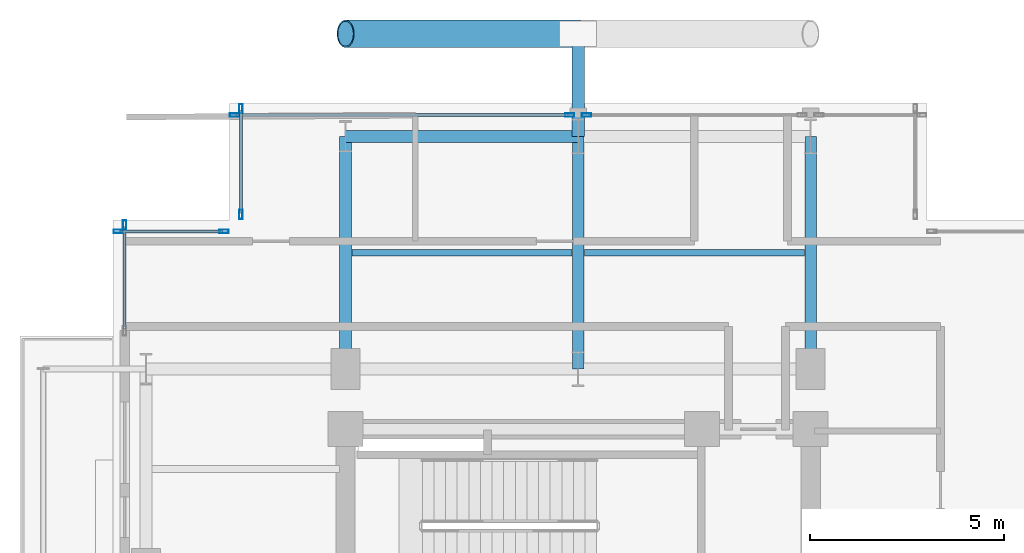
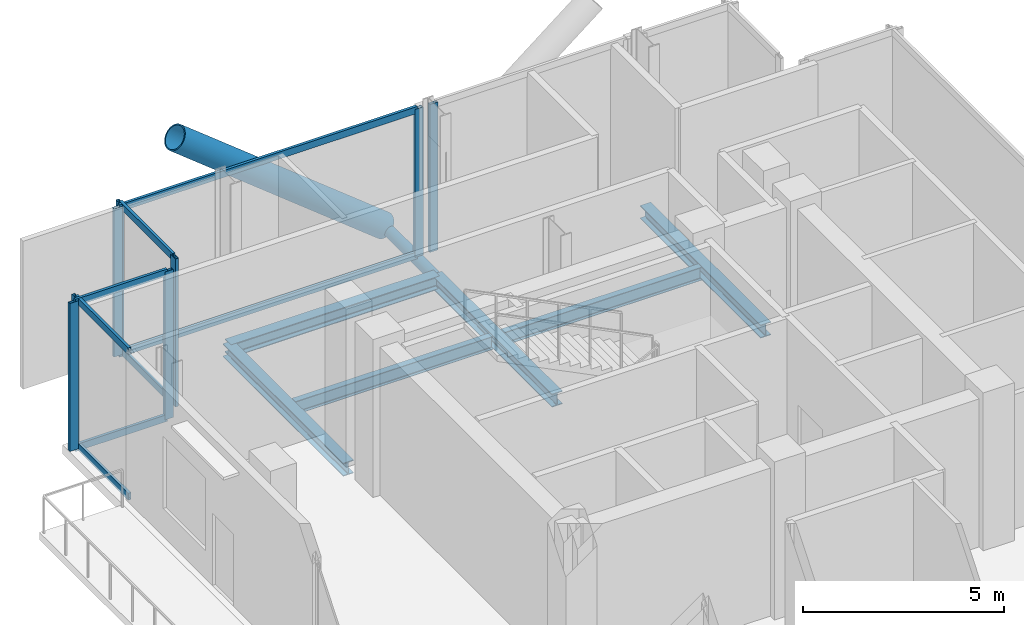
# One storey, part 11 of 22: 18 members, 6 beams, 5 elements without a shape of their own.
"""IFC4 building model written with IfcOpenShell, lengths in metres."""

import ifcopenshell
import ifcopenshell.guid

model = None  # the IFC model being written
_history = None  # IfcOwnerHistory: only IFC2X3 demands one
_inside = {}  # id of a spatial element -> (the spatial element, [elements in it])
_under = {}  # id of a project, library or spatial element -> (it, [spatial elements below it])
_declared = {}  # id of a project -> (the project, [libraries it declares])
_typed = {}  # id of a type object -> (the type object, [elements of that type])
_made_of = {}  # id of a material, layer set ... -> (it, [elements and type objects made of it])


def new_model(schema):
    """Start an empty IFC model of exactly this schema.

    Asked for "IFC4X3", IfcOpenShell would pick the latest addendum, in which some entities
    have other attributes; the version numbers below select the first issue.
    IFC2X3 requires an IfcOwnerHistory on every rooted entity: one is made here for all.
    """
    global model, _history
    if schema == "IFC4X3":
        model = ifcopenshell.file(schema_version=(4, 3, 0, 0))
    else:
        model = ifcopenshell.file(schema=schema)
    _inside.clear()
    _under.clear()
    _declared.clear()
    _typed.clear()
    _made_of.clear()
    _history = None
    if model.schema == "IFC2X3":
        org = make("IfcOrganization", Name="unknown")
        user = make(
            "IfcPersonAndOrganization",
            ThePerson=make("IfcPerson", FamilyName="unknown"),
            TheOrganization=org,
        )
        app = make(
            "IfcApplication",
            ApplicationDeveloper=org,
            Version="unknown",
            ApplicationFullName="unknown",
            ApplicationIdentifier="unknown",
        )
        _history = make(
            "IfcOwnerHistory",
            OwningUser=user,
            OwningApplication=app,
            ChangeAction="ADDED",
            CreationDate=0,
        )
    return model


def make(cls, **values):
    """One entity of the class cls with the attributes given. An attribute that is None is left unset."""
    return model.create_entity(
        cls, **{name: value for name, value in values.items() if value is not None}
    )


def rooted(cls, **values):
    """An entity with a GlobalId (a new one), such as an element, a storey or a relation."""
    return make(cls, GlobalId=ifcopenshell.guid.new(), OwnerHistory=_history, **values)


def si_unit(unit_type, name, prefix=None):
    """IfcSIUnit, for example si_unit("LENGTHUNIT", "METRE", prefix="MILLI")."""
    return make("IfcSIUnit", UnitType=unit_type, Prefix=prefix, Name=name)


def assignment(units):
    """IfcUnitAssignment: the units of a project."""
    return None if units is None else make("IfcUnitAssignment", Units=units)


def point(xyz):
    """IfcCartesianPoint."""
    return None if xyz is None else make("IfcCartesianPoint", Coordinates=xyz)


def direction(xyz):
    """IfcDirection."""
    return None if xyz is None else make("IfcDirection", DirectionRatios=xyz)


def frame(location, z_axis=None, x_axis=None):
    """IfcAxis2Placement3D, a coordinate frame: its origin and axes. An axis left out is left unset."""
    return make(
        "IfcAxis2Placement3D",
        Location=point(location),
        Axis=direction(z_axis),
        RefDirection=direction(x_axis),
    )


def frame_2d(location, x_axis=None):
    """IfcAxis2Placement2D, a coordinate frame in the plane: its origin and x axis."""
    return make(
        "IfcAxis2Placement2D", Location=point(location), RefDirection=direction(x_axis)
    )


def origin():
    """The frame at (0, 0, 0) with its axes left unset."""
    return frame((0.0, 0.0, 0.0))


def origin_2d():
    """The frame at (0, 0) in the plane with its x axis left unset."""
    return frame_2d((0.0, 0.0))


def place(relative_to, where):
    """IfcLocalPlacement: puts the frame where relative to a parent placement (None: the world)."""
    return make(
        "IfcLocalPlacement", PlacementRelTo=relative_to, RelativePlacement=where
    )


def context(
    kind, dimensions, precision=None, world=None, true_north=None, identifier=None
):
    """IfcGeometricRepresentationContext, for example the 3D "Model" context."""
    return make(
        "IfcGeometricRepresentationContext",
        ContextIdentifier=identifier,
        ContextType=kind,
        CoordinateSpaceDimension=dimensions,
        Precision=precision,
        WorldCoordinateSystem=world,
        TrueNorth=true_north,
    )


def subcontext(parent, identifier, kind, view, scale=None):
    """IfcGeometricRepresentationSubContext, for example "Body" below "Model"."""
    return make(
        "IfcGeometricRepresentationSubContext",
        ContextIdentifier=identifier,
        ContextType=kind,
        ParentContext=parent,
        TargetScale=scale,
        TargetView=view,
    )


def project(units=None, contexts=None):
    """IfcProject with its units and contexts."""
    return rooted(
        "IfcProject",
        Name="project",
        RepresentationContexts=contexts,
        UnitsInContext=assignment(units),
    )


def spatial(cls, under=None, at=None, **own):
    """A site, building, storey or space (cls), placed at a placement, below another one or the project."""
    s = rooted(cls, ObjectPlacement=at, **own)
    if under is not None:
        _under.setdefault(under.id(), (under, []))[1].append(s)
    return s


def profile(cls, at=None, kind="AREA", **sizes):
    """A parametric profile (cls). Its sizes go by their IFC names, for example OverallWidth=200.0."""
    return make(cls, ProfileType=kind, Position=at, **sizes)


def hollow_rectangle(**sizes):
    """IfcRectangleHollowProfileDef."""
    return profile("IfcRectangleHollowProfileDef", **sizes)


def hollow_circle(**sizes):
    """IfcCircleHollowProfileDef."""
    return profile("IfcCircleHollowProfileDef", **sizes)


def i_section(**sizes):
    """IfcIShapeProfileDef."""
    return profile("IfcIShapeProfileDef", **sizes)


def extrude(swept, where, along, depth):
    """IfcExtrudedAreaSolid: the profile swept, set in the frame where, extruded along a direction by depth."""
    return make(
        "IfcExtrudedAreaSolid",
        SweptArea=swept,
        Position=where,
        ExtrudedDirection=direction(along),
        Depth=depth,
    )


def shape(context_of_items, identifier, shape_type, items):
    """IfcShapeRepresentation: the items that make up one representation, for example the "Body"."""
    return make(
        "IfcShapeRepresentation",
        ContextOfItems=context_of_items,
        RepresentationIdentifier=identifier,
        RepresentationType=shape_type,
        Items=items,
    )


def material(Name=None, Category=None):
    """IfcMaterial."""
    return make("IfcMaterial", Name=Name, Category=Category)


def layer(
    of_material, thickness, ventilated=None, Name=None, Category=None, Priority=None
):
    """IfcMaterialLayer: one layer of a wall or slab, of a material (None: an air gap)."""
    return make(
        "IfcMaterialLayer",
        Material=of_material,
        LayerThickness=thickness,
        IsVentilated=ventilated,
        Name=Name,
        Category=Category,
        Priority=Priority,
    )


def layer_set(layers, Name=None):
    """IfcMaterialLayerSet."""
    return make("IfcMaterialLayerSet", MaterialLayers=layers, LayerSetName=Name)


def material_profile(
    of_material, cross_section, Name=None, Category=None, Priority=None
):
    """IfcMaterialProfile: a cross section and its material."""
    return make(
        "IfcMaterialProfile",
        Name=Name,
        Material=of_material,
        Profile=cross_section,
        Priority=Priority,
        Category=Category,
    )


def profile_set(profiles, Name=None, composite=None):
    """IfcMaterialProfileSet."""
    return make(
        "IfcMaterialProfileSet",
        Name=Name,
        MaterialProfiles=profiles,
        CompositeProfile=composite,
    )


def made_of(thing, what):
    """Note that an element or type object is made of a material, layer set ...; save() writes the relation."""
    if what is not None:
        _made_of.setdefault(what.id(), (what, []))[1].append(thing)
    return thing


def type_object(cls, material=None, **own):
    """A type object (cls), such as IfcWallType, which elements share."""
    return made_of(rooted(cls, **own), material)


def element(
    cls,
    number,
    at=None,
    inside=None,
    cuts=None,
    type_object=None,
    material=None,
    context=None,
    identifier="Body",
    shape_type=None,
    held_by="IfcProductDefinitionShape",
    body=None,
    shapes=None,
    **own,
):
    """One element of the class cls, such as IfcWall. Its Tag is "e" and its number.

    at: its placement. inside: the storey or other place that contains it. cuts: it is an
    opening in that element (IfcRelVoidsElement). A single representation is given by context,
    identifier, shape_type and body (its items); several are given by shapes. held_by: the class
    of the entity that holds the representations. save() writes the other relations.
    """
    e = rooted(cls, Tag="e%d" % number, ObjectPlacement=at, **own)
    if body is not None:
        shapes = [shape(context, identifier, shape_type, body)]
    if shapes is not None:
        e.Representation = make(held_by, Representations=shapes)
    if inside is not None:
        _inside.setdefault(inside.id(), (inside, []))[1].append(e)
    if cuts is not None:
        rooted(
            "IfcRelVoidsElement", RelatingBuildingElement=cuts, RelatedOpeningElement=e
        )
    if type_object is not None:
        _typed.setdefault(type_object.id(), (type_object, []))[1].append(e)
    return made_of(e, material)


def aggregate(whole, parts):
    """IfcRelAggregates: a whole, such as a stair, and the parts it consists of."""
    return rooted("IfcRelAggregates", RelatingObject=whole, RelatedObjects=parts)


def save(model, path):
    """Write the relations noted so far, then the file.

    IfcRelAggregates (storeys below a building ...), IfcRelContainedInSpatialStructure (elements
    in a storey), IfcRelDefinesByType, IfcRelAssociatesMaterial and IfcRelDeclares: one each for
    every whole, place, type object, material and project.
    """
    for whole, parts in _under.values():
        aggregate(whole, parts)
    for where, things in _inside.values():
        rooted(
            "IfcRelContainedInSpatialStructure",
            RelatedElements=things,
            RelatingStructure=where,
        )
    for kind, things in _typed.values():
        rooted("IfcRelDefinesByType", RelatedObjects=things, RelatingType=kind)
    for what, things in _made_of.values():
        rooted("IfcRelAssociatesMaterial", RelatedObjects=things, RelatingMaterial=what)
    for by, libraries in _declared.values():
        rooted("IfcRelDeclares", RelatingContext=by, RelatedDefinitions=libraries)
    model.write(path)


model = new_model("IFC4")

# Units and contexts
model_context = context("Model", 3, precision=1e-05, world=origin(), true_north=direction((0.0, 1.0)))
body_context = subcontext(model_context, "Body", "Model", "MODEL_VIEW")
ifc_project = project(units=[si_unit("LENGTHUNIT", "METRE"), si_unit("AREAUNIT", "SQUARE_METRE"), si_unit("VOLUMEUNIT", "CUBIC_METRE"), si_unit("PLANEANGLEUNIT", "RADIAN"), si_unit("MASSUNIT", "GRAM", prefix="KILO"), si_unit("THERMODYNAMICTEMPERATUREUNIT", "KELVIN"), si_unit("POWERUNIT", "WATT")], contexts=[model_context])

# Site, building, storey
site_placement = place(None, origin())
site = spatial("IfcSite", under=ifc_project, at=site_placement, CompositionType="ELEMENT")
building_placement = place(site_placement, origin())
building = spatial("IfcBuilding", under=site, at=building_placement, Name="Svarakhadi Broadcast Tower", CompositionType="ELEMENT")
storey_placement = place(building_placement, frame((0.0, 0.0, 199.199951171875)))
storey = spatial("IfcBuildingStorey", under=building, at=storey_placement, Name="L49", CompositionType="ELEMENT", Elevation=199.199951171875)

# Beams
ifc_material_1 = material(Name="Steel S355J2 (IS 2062 E350C)", Category="steel")
ifc_material_profile_1 = material_profile(ifc_material_1, i_section(OverallWidth=0.179931640625, OverallDepth=0.39990234375, WebThickness=0.008544921875, FlangeThickness=0.013427734375, FilletRadius=0.02099609375, at=origin_2d()), Name="NPB 400x180x66")
ifc_profile_set_1 = profile_set([ifc_material_profile_1], Name="Steel S355J2 (IS 2062 E350C)")
beam_type_1 = type_object("IfcBeamType", Name="Beam_NPB400", PredefinedType="BEAM", material=ifc_profile_set_1)
for number, where, z_axis, x_axis, name in (
    (1, (6.159912109375, 32.14990234375, -0.474853515625), (1.0, 0.0, 0.0), (0.0, 1.0, 0.0), "L49 Secondary Composite Beam SB008"),
    (2, (12.159912109375, 32.14990234375, -0.474853515625), (1.0, 0.0, 0.0), (0.0, 1.0, 0.0), "L49 Secondary Composite Beam SB012"),
):
    element("IfcBeam", number, at=place(storey_placement, frame(where, z_axis=z_axis, x_axis=x_axis)), inside=storey, type_object=beam_type_1, Name=name, PredefinedType="BEAM", context=body_context, shape_type="SweptSolid", body=[
        extrude(i_section(OverallWidth=0.179931640625, OverallDepth=0.39990234375, WebThickness=0.008544921875, FlangeThickness=0.013427734375, FilletRadius=0.02099609375, at=origin_2d()), origin(), (0.0, 0.0, 1.0), 5.68017578125),
    ])

# Curtain wall, member
ifc_material_2 = material(Name="Anodised Bronze Aluminium AA 6063-T6", Category="aluminium")
ifc_layer = layer(ifc_material_2, 0.239990234375)
ifc_layer_set = layer_set([ifc_layer], Name="Anodised Bronze Aluminium AA 6063-T6")
curtain_wall_type = type_object("IfcCurtainWallType", Name="CW_Sys_06", PredefinedType="NOTDEFINED", material=ifc_layer_set)
curtain_wall_1_placement = place(storey_placement, origin())
curtain_wall_1 = element("IfcCurtainWall", 3, at=curtain_wall_1_placement, inside=storey, type_object=curtain_wall_type, Name="L49 West Curtain Wall 03", PredefinedType="NOTDEFINED")
ifc_material_profile_2 = material_profile(ifc_material_2, hollow_rectangle(XDim=0.090087890625, YDim=0.239990234375, WallThickness=0.006103515625, at=origin_2d()), Name="ALU MULLION 240x90x6")
ifc_profile_set_2 = profile_set([ifc_material_profile_2], Name="Anodised Bronze Aluminium AA 6063-T6")
member_type_1 = type_object("IfcMemberType", Name="CW_Sys_06_Mul", PredefinedType="MULLION", material=ifc_profile_set_2)
member_1_placement = place(storey_placement, frame((0.300048828125, 32.864990234375, 0.0), z_axis=(0.0, 0.0, 1.0), x_axis=(-1.0, 0.0, 0.0)))
member_1 = element("IfcMember", 4, at=member_1_placement, type_object=member_type_1, Name="CW-06 mullion 2", PredefinedType="MULLION", context=body_context, shape_type="SweptSolid", body=[
    extrude(hollow_rectangle(XDim=0.090087890625, YDim=0.239990234375, WallThickness=0.006103515625, at=origin_2d()), origin(), (0.0, 0.0, 1.0), 4.5),
])

# Curtain wall, members
curtain_wall_2_placement = place(storey_placement, origin())
curtain_wall_2 = element("IfcCurtainWall", 5, at=curtain_wall_2_placement, inside=storey, type_object=curtain_wall_type, Name="L49 Unitised Facade Curtain Wall 04", PredefinedType="NOTDEFINED")
member_2_placement = place(storey_placement, frame((0.135009765625, 32.699951171875, 0.0), z_axis=(0.0, 0.0, 1.0), x_axis=(0.0, 1.0, 0.0)))
member_2 = element("IfcMember", 6, at=member_2_placement, type_object=member_type_1, Name="CW-06 mullion 1", PredefinedType="MULLION", context=body_context, shape_type="SweptSolid", body=[
    extrude(hollow_rectangle(XDim=0.090087890625, YDim=0.239990234375, WallThickness=0.006103515625, at=origin_2d()), origin(), (0.0, 0.0, 1.0), 4.5),
])
member_3_placement = place(storey_placement, frame((2.864990234375, 32.699951171875, 0.0), z_axis=(0.0, 0.0, 1.0), x_axis=(0.0, 1.0, 0.0)))
member_3 = element("IfcMember", 7, at=member_3_placement, type_object=member_type_1, Name="CW-06 mullion 2", PredefinedType="MULLION", context=body_context, shape_type="SweptSolid", body=[
    extrude(hollow_rectangle(XDim=0.090087890625, YDim=0.239990234375, WallThickness=0.006103515625, at=origin_2d()), origin(), (0.0, 0.0, 1.0), 4.5),
])

curtain_wall_3_placement = place(storey_placement, origin())
curtain_wall_3 = element("IfcCurtainWall", 8, at=curtain_wall_3_placement, inside=storey, type_object=curtain_wall_type, Name="L49 Unitised Facade Curtain Wall 05", PredefinedType="NOTDEFINED")
member_4_placement = place(storey_placement, frame((3.300048828125, 33.135009765625, 0.0), z_axis=(0.0, 0.0, 1.0), x_axis=(-1.0, 0.0, 0.0)))
member_4 = element("IfcMember", 9, at=member_4_placement, type_object=member_type_1, Name="CW-06 mullion 1", PredefinedType="MULLION", context=body_context, shape_type="SweptSolid", body=[
    extrude(hollow_rectangle(XDim=0.090087890625, YDim=0.239990234375, WallThickness=0.006103515625, at=origin_2d()), origin(), (0.0, 0.0, 1.0), 4.5),
])
member_5_placement = place(storey_placement, frame((3.300048828125, 35.864990234375, 0.0), z_axis=(0.0, 0.0, 1.0), x_axis=(-1.0, 0.0, 0.0)))
member_5 = element("IfcMember", 10, at=member_5_placement, type_object=member_type_1, Name="CW-06 mullion 2", PredefinedType="MULLION", context=body_context, shape_type="SweptSolid", body=[
    extrude(hollow_rectangle(XDim=0.090087890625, YDim=0.239990234375, WallThickness=0.006103515625, at=origin_2d()), origin(), (0.0, 0.0, 1.0), 4.5),
])

curtain_wall_4_placement = place(storey_placement, origin())
curtain_wall_4 = element("IfcCurtainWall", 11, at=curtain_wall_4_placement, inside=storey, type_object=curtain_wall_type, Name="L49 Unitised Facade Curtain Wall 06 Bay 1", PredefinedType="NOTDEFINED")
member_6_placement = place(storey_placement, frame((3.135009765625, 35.699951171875, 0.0), z_axis=(0.0, 0.0, 1.0), x_axis=(0.0, 1.0, 0.0)))
member_6 = element("IfcMember", 12, at=member_6_placement, type_object=member_type_1, Name="CW-06 mullion 1", PredefinedType="MULLION", context=body_context, shape_type="SweptSolid", body=[
    extrude(hollow_rectangle(XDim=0.090087890625, YDim=0.239990234375, WallThickness=0.006103515625, at=origin_2d()), origin(), (0.0, 0.0, 1.0), 4.5),
])
member_7_placement = place(storey_placement, frame((11.784912109375, 35.699951171875, 0.0), z_axis=(0.0, 0.0, 1.0), x_axis=(0.0, 1.0, 0.0)))
member_7 = element("IfcMember", 13, at=member_7_placement, type_object=member_type_1, Name="CW-06 mullion 2", PredefinedType="MULLION", context=body_context, shape_type="SweptSolid", body=[
    extrude(hollow_rectangle(XDim=0.090087890625, YDim=0.239990234375, WallThickness=0.006103515625, at=origin_2d()), origin(), (0.0, 0.0, 1.0), 4.5),
])

# Curtain wall, member
curtain_wall_5_placement = place(storey_placement, origin())
curtain_wall_5 = element("IfcCurtainWall", 14, at=curtain_wall_5_placement, inside=storey, type_object=curtain_wall_type, Name="L49 Unitised Facade Curtain Wall 06 Bay 2", PredefinedType="NOTDEFINED")
member_8_placement = place(storey_placement, frame((12.215087890625, 35.699951171875, 0.0), z_axis=(0.0, 0.0, 1.0), x_axis=(0.0, 1.0, 0.0)))
member_8 = element("IfcMember", 15, at=member_8_placement, type_object=member_type_1, Name="CW-06 mullion 1", PredefinedType="MULLION", context=body_context, shape_type="SweptSolid", body=[
    extrude(hollow_rectangle(XDim=0.090087890625, YDim=0.239990234375, WallThickness=0.006103515625, at=origin_2d()), origin(), (0.0, 0.0, 1.0), 4.5),
])
aggregate(curtain_wall_5, [member_8])

# Member
ifc_material_profile_3 = material_profile(ifc_material_2, hollow_rectangle(XDim=0.080078125, YDim=0.2099609375, WallThickness=0.0048828125, at=origin_2d()), Name="ALU TRANSOM 210x80x5")
ifc_profile_set_3 = profile_set([ifc_material_profile_3], Name="Anodised Bronze Aluminium AA 6063-T6")
member_type_2 = type_object("IfcMemberType", Name="CW_Sys_06_Trn", PredefinedType="USERDEFINED", material=ifc_profile_set_3)
member_9_placement = place(storey_placement, frame((0.300048828125, 30.179931640625, 0.0400390625), z_axis=(0.0, 1.0, 0.0), x_axis=(-1.0, 0.0, 0.0)))
member_9 = element("IfcMember", 16, at=member_9_placement, type_object=member_type_2, Name="CW-06 transom 1.1", ObjectType="TRANSOM", PredefinedType="USERDEFINED", context=body_context, shape_type="SweptSolid", body=[
    extrude(hollow_rectangle(XDim=0.080078125, YDim=0.2099609375, WallThickness=0.0048828125, at=origin_2d()), origin(), (0.0, 0.0, 1.0), 2.64013671875),
])

member_10_placement = place(storey_placement, frame((0.300048828125, 30.179931640625, 4.4599609375), z_axis=(0.0, 1.0, 0.0), x_axis=(-1.0, 0.0, 0.0)))
member_10 = element("IfcMember", 17, at=member_10_placement, type_object=member_type_2, Name="CW-06 transom 1.2", ObjectType="TRANSOM", PredefinedType="USERDEFINED", context=body_context, shape_type="SweptSolid", body=[
    extrude(hollow_rectangle(XDim=0.080078125, YDim=0.2099609375, WallThickness=0.0048828125, at=origin_2d()), origin(), (0.0, 0.0, 1.0), 2.64013671875),
])

aggregate(curtain_wall_1, [member_1, member_9, member_10])

member_11_placement = place(storey_placement, frame((0.179931640625, 32.699951171875, 0.0400390625), z_axis=(1.0, 0.0, 0.0), x_axis=(0.0, 1.0, 0.0)))
member_11 = element("IfcMember", 18, at=member_11_placement, type_object=member_type_2, Name="CW-06 transom 1.1", ObjectType="TRANSOM", PredefinedType="USERDEFINED", context=body_context, shape_type="SweptSolid", body=[
    extrude(hollow_rectangle(XDim=0.080078125, YDim=0.2099609375, WallThickness=0.0048828125, at=origin_2d()), origin(), (0.0, 0.0, 1.0), 2.64013671875),
])

member_12_placement = place(storey_placement, frame((0.179931640625, 32.699951171875, 4.4599609375), z_axis=(1.0, 0.0, 0.0), x_axis=(0.0, 1.0, 0.0)))
member_12 = element("IfcMember", 19, at=member_12_placement, type_object=member_type_2, Name="CW-06 transom 1.2", ObjectType="TRANSOM", PredefinedType="USERDEFINED", context=body_context, shape_type="SweptSolid", body=[
    extrude(hollow_rectangle(XDim=0.080078125, YDim=0.2099609375, WallThickness=0.0048828125, at=origin_2d()), origin(), (0.0, 0.0, 1.0), 2.64013671875),
])

aggregate(curtain_wall_2, [member_2, member_3, member_11, member_12])

member_13_placement = place(storey_placement, frame((3.300048828125, 33.179931640625, 0.0400390625), z_axis=(0.0, 1.0, 0.0), x_axis=(-1.0, 0.0, 0.0)))
member_13 = element("IfcMember", 20, at=member_13_placement, type_object=member_type_2, Name="CW-06 transom 1.1", ObjectType="TRANSOM", PredefinedType="USERDEFINED", context=body_context, shape_type="SweptSolid", body=[
    extrude(hollow_rectangle(XDim=0.080078125, YDim=0.2099609375, WallThickness=0.0048828125, at=origin_2d()), origin(), (0.0, 0.0, 1.0), 2.64013671875),
])

member_14_placement = place(storey_placement, frame((3.300048828125, 33.179931640625, 4.4599609375), z_axis=(0.0, 1.0, 0.0), x_axis=(-1.0, 0.0, 0.0)))
member_14 = element("IfcMember", 21, at=member_14_placement, type_object=member_type_2, Name="CW-06 transom 1.2", ObjectType="TRANSOM", PredefinedType="USERDEFINED", context=body_context, shape_type="SweptSolid", body=[
    extrude(hollow_rectangle(XDim=0.080078125, YDim=0.2099609375, WallThickness=0.0048828125, at=origin_2d()), origin(), (0.0, 0.0, 1.0), 2.64013671875),
])

aggregate(curtain_wall_3, [member_4, member_5, member_13, member_14])

member_15_placement = place(storey_placement, frame((3.179931640625, 35.699951171875, 0.0400390625), z_axis=(1.0, 0.0, 0.0), x_axis=(0.0, 1.0, 0.0)))
member_15 = element("IfcMember", 22, at=member_15_placement, type_object=member_type_2, Name="CW-06 transom 1.1", ObjectType="TRANSOM", PredefinedType="USERDEFINED", context=body_context, shape_type="SweptSolid", body=[
    extrude(hollow_rectangle(XDim=0.080078125, YDim=0.2099609375, WallThickness=0.0048828125, at=origin_2d()), origin(), (0.0, 0.0, 1.0), 8.56005859375),
])

member_16_placement = place(storey_placement, frame((3.179931640625, 35.699951171875, 4.4599609375), z_axis=(1.0, 0.0, 0.0), x_axis=(0.0, 1.0, 0.0)))
member_16 = element("IfcMember", 23, at=member_16_placement, type_object=member_type_2, Name="CW-06 transom 1.2", ObjectType="TRANSOM", PredefinedType="USERDEFINED", context=body_context, shape_type="SweptSolid", body=[
    extrude(hollow_rectangle(XDim=0.080078125, YDim=0.2099609375, WallThickness=0.0048828125, at=origin_2d()), origin(), (0.0, 0.0, 1.0), 8.56005859375),
])

aggregate(curtain_wall_4, [member_6, member_7, member_15, member_16])

# Members
ifc_material_3 = material(Name="Steel S460ML (IS 2062 E450BR)", Category="steel")
ifc_material_profile_4 = material_profile(ifc_material_3, hollow_circle(Radius=0.35546875, WallThickness=0.034912109375, at=origin_2d()), Name="CHS 711x35")
ifc_profile_set_4 = profile_set([ifc_material_profile_4], Name="Steel S460ML (IS 2062 E450BR)")
member_type_3 = type_object("IfcMemberType", Name="Exo_Brace_CHS711", PredefinedType="BRACE", material=ifc_profile_set_4)
member_17_placement = place(storey_placement, frame((12.0, 37.800048828125, -0.43701171875), z_axis=(-0.782447330292, 0.0, 0.622716769742), x_axis=(0.0, -1.0, 0.0)))
element("IfcMember", 24, at=member_17_placement, inside=storey, type_object=member_type_3, Name="L49 Exposed Bronze Exoskeleton Diagonal N06", PredefinedType="BRACE", context=body_context, shape_type="SweptSolid", body=[
    extrude(hollow_circle(Radius=0.35546875, WallThickness=0.034912109375, at=origin_2d()), origin(), (0.0, 0.0, 1.0), 7.668212890625),
])
ifc_material_profile_5 = material_profile(ifc_material_3, hollow_circle(Radius=0.161865234375, WallThickness=0.01611328125, at=origin_2d()), Name="CHS 323.9x16")
ifc_profile_set_5 = profile_set([ifc_material_profile_5], Name="Steel S460ML (IS 2062 E450BR)")
member_type_4 = type_object("IfcMemberType", Name="Exo_Radial_Strut_Z2", PredefinedType="STRUT", material=ifc_profile_set_5)
member_18_placement = place(storey_placement, frame((12.0, 37.800048828125, -0.43701171875), z_axis=(0.0, -1.0, 0.0), x_axis=(1.0, 0.0, 0.0)))
element("IfcMember", 25, at=member_18_placement, inside=storey, type_object=member_type_4, Name="L49 Exoskeleton Radial Tie Strut N04", PredefinedType="STRUT", context=body_context, shape_type="SweptSolid", body=[
    extrude(hollow_circle(Radius=0.161865234375, WallThickness=0.01611328125, at=origin_2d()), origin(), (0.0, 0.0, 1.0), 2.650146484375),
])

# Beams
ifc_material_profile_6 = material_profile(ifc_material_1, i_section(OverallWidth=0.300048828125, OverallDepth=0.39990234375, WebThickness=0.013427734375, FlangeThickness=0.02392578125, FilletRadius=0.027099609375, at=origin_2d()), Name="WPB 400x300x155")
ifc_profile_set_6 = profile_set([ifc_material_profile_6], Name="Steel S355J2 (IS 2062 E350C)")
beam_type_2 = type_object("IfcBeamType", Name="Girder_WPB400", PredefinedType="USERDEFINED", material=ifc_profile_set_6)
for number, where, z_axis, x_axis, name in (
    (26, (6.0, 35.14990234375, -0.474853515625), (1.0, 0.0, 0.0), (0.0, 1.0, 0.0), "L49 Primary E-W Girder G031"),
    (27, (6.0, 29.14990234375, -0.474853515625), (0.0, 1.0, 0.0), (-1.0, 0.0, 0.0), "L49 Primary N-S Girder G041"),
    (28, (12.0, 29.14990234375, -0.474853515625), (0.0, 1.0, 0.0), (-1.0, 0.0, 0.0), "L49 Primary N-S Girder G045"),
    (29, (18.0, 29.14990234375, -0.474853515625), (0.0, 1.0, 0.0), (-1.0, 0.0, 0.0), "L49 Primary N-S Girder G050"),
):
    element("IfcBeam", number, at=place(storey_placement, frame(where, z_axis=z_axis, x_axis=x_axis)), inside=storey, type_object=beam_type_2, Name=name, ObjectType="GIRDER", PredefinedType="USERDEFINED", context=body_context, shape_type="SweptSolid", body=[
        extrude(i_section(OverallWidth=0.300048828125, OverallDepth=0.39990234375, WebThickness=0.013427734375, FlangeThickness=0.02392578125, FilletRadius=0.027099609375, at=origin_2d()), origin(), (0.0, 0.0, 1.0), 6.0),
    ])

save(model, "model.ifc")
